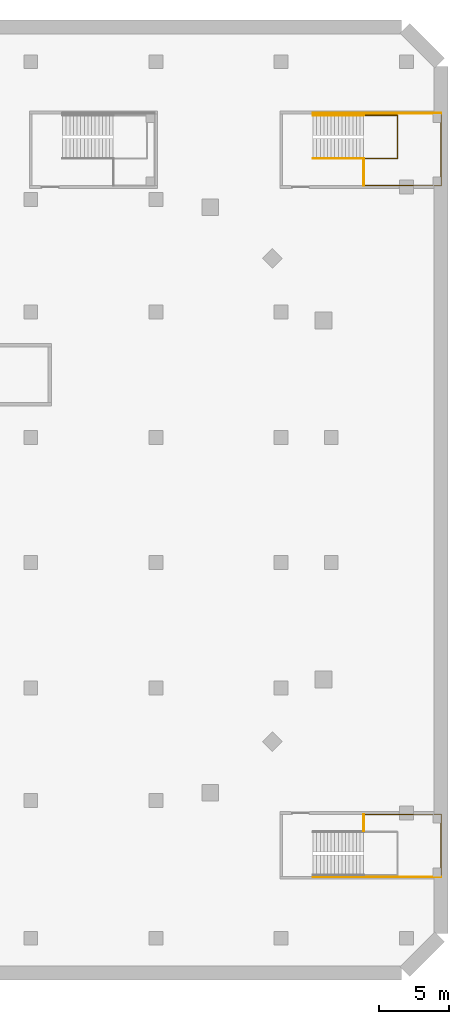
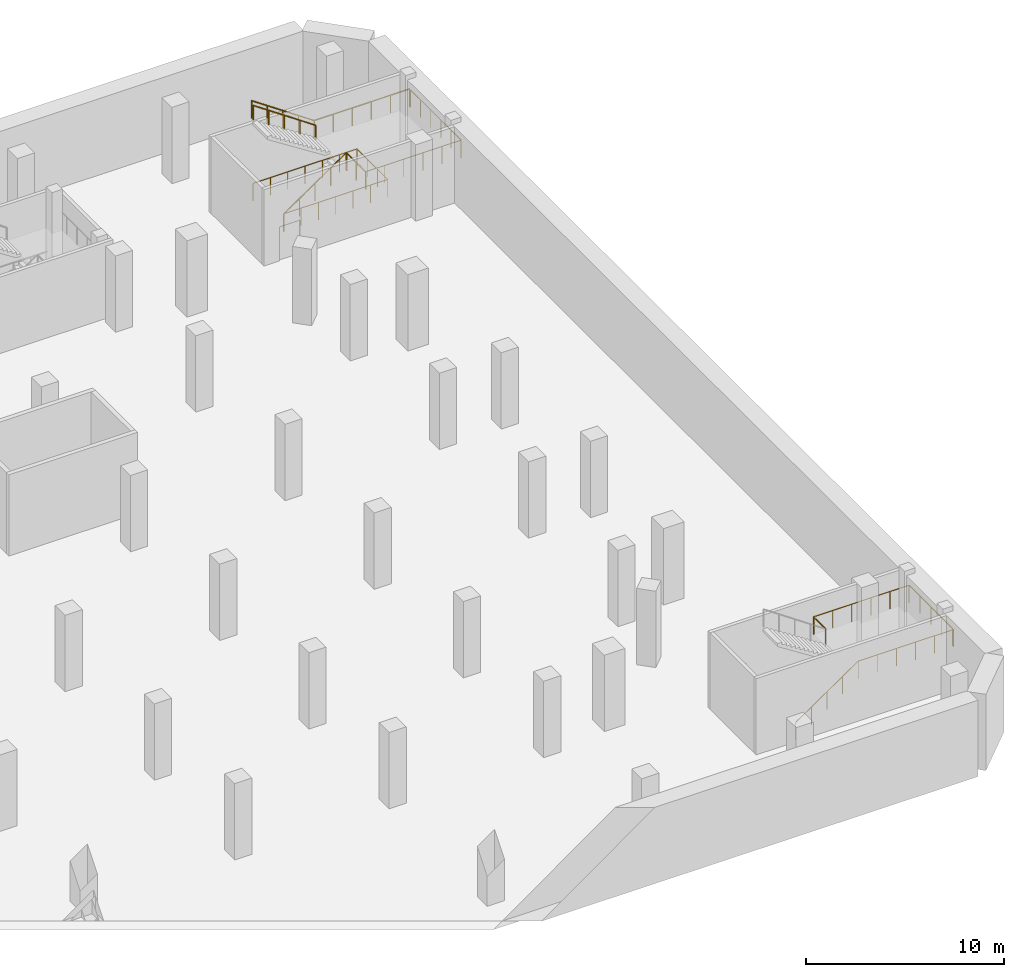
# One storey, part 18 of 19: 9 railings.
"""IFC4 building model written with IfcOpenShell, lengths in metres."""

from ifc_helpers import new_model, si_unit, direction, frame, origin, origin_2d, place, context, subcontext, project, spatial, circle, extrude, material, type_object, element, save


model = new_model("IFC4")

# Units and contexts
model_context = context("Model", 3, precision=1e-05, world=origin(), true_north=direction((0.0, 1.0)))
body_context = subcontext(model_context, "Body", "Model", "MODEL_VIEW")
ifc_project = project(units=[si_unit("LENGTHUNIT", "METRE"), si_unit("AREAUNIT", "SQUARE_METRE"), si_unit("VOLUMEUNIT", "CUBIC_METRE"), si_unit("PLANEANGLEUNIT", "RADIAN"), si_unit("MASSUNIT", "GRAM", prefix="KILO")], contexts=[model_context])

# Site, building, storey
site_placement = place(None, origin())
site = spatial("IfcSite", under=ifc_project, at=site_placement, CompositionType="ELEMENT")
building_placement = place(site_placement, origin())
building = spatial("IfcBuilding", under=site, at=building_placement, Name="Cinnabar Reach Civic Tower", CompositionType="ELEMENT")
storey_placement = place(building_placement, frame((0.0, 0.0, -5.0)))
storey = spatial("IfcBuildingStorey", under=building, at=storey_placement, Name="B1", CompositionType="ELEMENT", Elevation=-5.0)

# Railings
ifc_material_1 = material(Name="Stainless steel and glass", Category="steel")
railing_type_1 = type_object("IfcRailingType", Name="Podium guard 1100", PredefinedType="GUARDRAIL", material=ifc_material_1)
railing_1_placement = place(storey_placement, frame((59.94, -0.1, 2.5)))
element("IfcRailing", 1, at=railing_1_placement, inside=storey, type_object=railing_type_1, Name="Landing guard PS4 B1", PredefinedType="GUARDRAIL", context=body_context, shape_type="SweptSolid", body=[
    extrude(circle(Radius=0.024, at=origin_2d()), frame((0.0, 0.0, 1.076), z_axis=(1.0, 0.0, 0.0), x_axis=(0.0, 1.0, 0.0)), (0.0, 0.0, 1.0), 5.56),
    extrude(circle(Radius=0.024, at=origin_2d()), frame((5.56, 0.0, 1.076), z_axis=(0.0, -1.0, 0.0), x_axis=(1.0, 0.0, 0.0)), (0.0, 0.0, 1.0), 4.4),
    extrude(circle(Radius=0.021, at=origin_2d()), origin(), (0.0, 0.0, 1.0), 1.052),
    extrude(circle(Radius=0.021, at=origin_2d()), frame((1.112, 0.0, 0.0)), (0.0, 0.0, 1.0), 1.052),
    extrude(circle(Radius=0.021, at=origin_2d()), frame((2.224, 0.0, 0.0)), (0.0, 0.0, 1.0), 1.052),
    extrude(circle(Radius=0.021, at=origin_2d()), frame((3.336, 0.0, 0.0)), (0.0, 0.0, 1.0), 1.052),
    extrude(circle(Radius=0.021, at=origin_2d()), frame((4.448, 0.0, 0.0)), (0.0, 0.0, 1.0), 1.052),
    extrude(circle(Radius=0.021, at=origin_2d()), frame((5.56, 0.0, 0.0)), (0.0, 0.0, 1.0), 1.052),
    extrude(circle(Radius=0.021, at=origin_2d()), frame((5.56, -1.1, 0.0)), (0.0, 0.0, 1.0), 1.052),
    extrude(circle(Radius=0.021, at=origin_2d()), frame((5.56, -2.2, 0.0)), (0.0, 0.0, 1.0), 1.052),
    extrude(circle(Radius=0.021, at=origin_2d()), frame((5.56, -3.3, 0.0)), (0.0, 0.0, 1.0), 1.052),
    extrude(circle(Radius=0.021, at=origin_2d()), frame((5.56, -4.4, 0.0)), (0.0, 0.0, 1.0), 1.052),
])
railing_2_placement = place(storey_placement, frame((59.94, -1.3, 2.5)))
element("IfcRailing", 2, at=railing_2_placement, inside=storey, type_object=railing_type_1, Name="Landing guard PS4 B1 inner", PredefinedType="GUARDRAIL", context=body_context, shape_type="SweptSolid", body=[
    extrude(circle(Radius=0.024, at=origin_2d()), frame((0.0, 0.0, 1.076), z_axis=(0.0, 1.0, 0.0), x_axis=(-1.0, 0.0, 0.0)), (0.0, 0.0, 1.0), 1.2),
    extrude(circle(Radius=0.021, at=origin_2d()), origin(), (0.0, 0.0, 1.0), 1.052),
    extrude(circle(Radius=0.021, at=origin_2d()), frame((0.0, 1.2, 0.0)), (0.0, 0.0, 1.0), 1.052),
])
railing_3_placement = place(storey_placement, frame((56.3, -4.6, 0.0)))
element("IfcRailing", 3, at=railing_3_placement, inside=storey, type_object=railing_type_1, Name="Stair wall side guard PS4 B1", PredefinedType="GUARDRAIL", context=body_context, shape_type="SweptSolid", body=[
    extrude(circle(Radius=0.024, at=origin_2d()), frame((0.0, 0.0, 1.076), z_axis=(0.824306135323, 0.0, 0.566144323711), x_axis=(0.0, 1.0, 0.0)), (0.0, 0.0, 1.0), 4.4158),
    extrude(circle(Radius=0.024, at=origin_2d()), frame((3.64, 0.0, 3.576), z_axis=(1.0, 0.0, 0.0), x_axis=(0.0, 1.0, 0.0)), (0.0, 0.0, 1.0), 5.56),
    extrude(circle(Radius=0.021, at=origin_2d()), origin(), (0.0, 0.0, 1.0), 1.052),
    extrude(circle(Radius=0.021, at=origin_2d()), frame((0.91, 0.0, 0.625)), (0.0, 0.0, 1.0), 1.052),
    extrude(circle(Radius=0.021, at=origin_2d()), frame((1.82, 0.0, 1.25)), (0.0, 0.0, 1.0), 1.052),
    extrude(circle(Radius=0.021, at=origin_2d()), frame((2.73, 0.0, 1.875)), (0.0, 0.0, 1.0), 1.052),
    extrude(circle(Radius=0.021, at=origin_2d()), frame((3.64, 0.0, 2.5)), (0.0, 0.0, 1.0), 1.052),
    extrude(circle(Radius=0.021, at=origin_2d()), frame((4.752, 0.0, 2.5)), (0.0, 0.0, 1.0), 1.052),
    extrude(circle(Radius=0.021, at=origin_2d()), frame((5.864, 0.0, 2.5)), (0.0, 0.0, 1.0), 1.052),
    extrude(circle(Radius=0.021, at=origin_2d()), frame((6.976, 0.0, 2.5)), (0.0, 0.0, 1.0), 1.052),
    extrude(circle(Radius=0.021, at=origin_2d()), frame((8.088, 0.0, 2.5)), (0.0, 0.0, 1.0), 1.052),
    extrude(circle(Radius=0.021, at=origin_2d()), frame((9.2, 0.0, 2.5)), (0.0, 0.0, 1.0), 1.052),
])
railing_4_placement = place(storey_placement, frame((56.3, 47.05, 0.0)))
element("IfcRailing", 4, at=railing_4_placement, inside=storey, type_object=railing_type_1, Name="Stair guard PS5 B1", PredefinedType="GUARDRAIL", context=body_context, shape_type="SweptSolid", body=[
    extrude(circle(Radius=0.024, at=origin_2d()), frame((0.0, 0.0, 1.076), z_axis=(0.824306135323, 0.0, 0.566144323711), x_axis=(0.0, 1.0, 0.0)), (0.0, 0.0, 1.0), 4.4158),
    extrude(circle(Radius=0.021, at=origin_2d()), origin(), (0.0, 0.0, 1.0), 1.052),
    extrude(circle(Radius=0.021, at=origin_2d()), frame((0.91, 0.0, 0.625)), (0.0, 0.0, 1.0), 1.052),
    extrude(circle(Radius=0.021, at=origin_2d()), frame((1.82, 0.0, 1.25)), (0.0, 0.0, 1.0), 1.052),
    extrude(circle(Radius=0.021, at=origin_2d()), frame((2.73, 0.0, 1.875)), (0.0, 0.0, 1.0), 1.052),
    extrude(circle(Radius=0.021, at=origin_2d()), frame((3.64, 0.0, 2.5)), (0.0, 0.0, 1.0), 1.052),
])
railing_5_placement = place(storey_placement, frame((59.94, 45.1, 2.5)))
element("IfcRailing", 5, at=railing_5_placement, inside=storey, type_object=railing_type_1, Name="Landing guard PS5 B1", PredefinedType="GUARDRAIL", context=body_context, shape_type="SweptSolid", body=[
    extrude(circle(Radius=0.024, at=origin_2d()), frame((0.0, 0.0, 1.076), z_axis=(1.0, 0.0, 0.0), x_axis=(0.0, 1.0, 0.0)), (0.0, 0.0, 1.0), 5.56),
    extrude(circle(Radius=0.024, at=origin_2d()), frame((5.56, 0.0, 1.076), z_axis=(0.0, 1.0, 0.0), x_axis=(-1.0, 0.0, 0.0)), (0.0, 0.0, 1.0), 5.1),
    extrude(circle(Radius=0.021, at=origin_2d()), origin(), (0.0, 0.0, 1.0), 1.052),
    extrude(circle(Radius=0.021, at=origin_2d()), frame((1.112, 0.0, 0.0)), (0.0, 0.0, 1.0), 1.052),
    extrude(circle(Radius=0.021, at=origin_2d()), frame((2.224, 0.0, 0.0)), (0.0, 0.0, 1.0), 1.052),
    extrude(circle(Radius=0.021, at=origin_2d()), frame((3.336, 0.0, 0.0)), (0.0, 0.0, 1.0), 1.052),
    extrude(circle(Radius=0.021, at=origin_2d()), frame((4.448, 0.0, 0.0)), (0.0, 0.0, 1.0), 1.052),
    extrude(circle(Radius=0.021, at=origin_2d()), frame((5.56, 0.0, 0.0)), (0.0, 0.0, 1.0), 1.052),
    extrude(circle(Radius=0.021, at=origin_2d()), frame((5.56, 1.02, 0.0)), (0.0, 0.0, 1.0), 1.052),
    extrude(circle(Radius=0.021, at=origin_2d()), frame((5.56, 2.04, 0.0)), (0.0, 0.0, 1.0), 1.052),
    extrude(circle(Radius=0.021, at=origin_2d()), frame((5.56, 3.06, 0.0)), (0.0, 0.0, 1.0), 1.052),
    extrude(circle(Radius=0.021, at=origin_2d()), frame((5.56, 4.08, 0.0)), (0.0, 0.0, 1.0), 1.052),
    extrude(circle(Radius=0.021, at=origin_2d()), frame((5.56, 5.1, 0.0)), (0.0, 0.0, 1.0), 1.052),
])
railing_6_placement = place(storey_placement, frame((59.94, 45.1, 2.5)))
element("IfcRailing", 6, at=railing_6_placement, inside=storey, type_object=railing_type_1, Name="Landing guard PS5 B1 inner", PredefinedType="GUARDRAIL", context=body_context, shape_type="SweptSolid", body=[
    extrude(circle(Radius=0.024, at=origin_2d()), frame((0.0, 0.0, 1.076), z_axis=(0.0, 1.0, 0.0), x_axis=(-1.0, 0.0, 0.0)), (0.0, 0.0, 1.0), 1.9),
    extrude(circle(Radius=0.021, at=origin_2d()), origin(), (0.0, 0.0, 1.0), 1.052),
    extrude(circle(Radius=0.021, at=origin_2d()), frame((0.0, 0.95, 0.0)), (0.0, 0.0, 1.0), 1.052),
    extrude(circle(Radius=0.021, at=origin_2d()), frame((0.0, 1.9, 0.0)), (0.0, 0.0, 1.0), 1.052),
])
railing_7_placement = place(storey_placement, frame((65.5, 50.3, 2.5)))
element("IfcRailing", 7, at=railing_7_placement, inside=storey, type_object=railing_type_1, Name="Stair wall side guard PS5 B1", PredefinedType="GUARDRAIL", context=body_context, shape_type="SweptSolid", body=[
    extrude(circle(Radius=0.024, at=origin_2d()), frame((0.0, 0.0, 1.076), z_axis=(-1.0, 0.0, 0.0), x_axis=(0.0, -1.0, 0.0)), (0.0, 0.0, 1.0), 5.56),
    extrude(circle(Radius=0.024, at=origin_2d()), frame((-5.56, 0.0, 1.076), z_axis=(-0.824306135323, 0.0, 0.566144323711), x_axis=(0.0, -1.0, 0.0)), (0.0, 0.0, 1.0), 4.4158),
    extrude(circle(Radius=0.021, at=origin_2d()), origin(), (0.0, 0.0, 1.0), 1.052),
    extrude(circle(Radius=0.021, at=origin_2d()), frame((-1.112, 0.0, 0.0)), (0.0, 0.0, 1.0), 1.052),
    extrude(circle(Radius=0.021, at=origin_2d()), frame((-2.224, 0.0, 0.0)), (0.0, 0.0, 1.0), 1.052),
    extrude(circle(Radius=0.021, at=origin_2d()), frame((-3.336, 0.0, 0.0)), (0.0, 0.0, 1.0), 1.052),
    extrude(circle(Radius=0.021, at=origin_2d()), frame((-4.448, 0.0, 0.0)), (0.0, 0.0, 1.0), 1.052),
    extrude(circle(Radius=0.021, at=origin_2d()), frame((-5.56, 0.0, 0.0)), (0.0, 0.0, 1.0), 1.052),
    extrude(circle(Radius=0.021, at=origin_2d()), frame((-6.47, 0.0, 0.625)), (0.0, 0.0, 1.0), 1.052),
    extrude(circle(Radius=0.021, at=origin_2d()), frame((-7.38, 0.0, 1.25)), (0.0, 0.0, 1.0), 1.052),
    extrude(circle(Radius=0.021, at=origin_2d()), frame((-8.29, 0.0, 1.875)), (0.0, 0.0, 1.0), 1.052),
    extrude(circle(Radius=0.021, at=origin_2d()), frame((-9.2, 0.0, 2.5)), (0.0, 0.0, 1.0), 1.052),
])
railing_8_placement = place(storey_placement, frame((56.3, 47.05, 0.0)))
element("IfcRailing", 8, at=railing_8_placement, inside=storey, type_object=railing_type_1, Name="Stair well guard PS5 B1", PredefinedType="GUARDRAIL", context=body_context, shape_type="SweptSolid", body=[
    extrude(circle(Radius=0.024, at=origin_2d()), frame((0.0, 0.0, 1.076), z_axis=(1.0, 0.0, 0.0), x_axis=(0.0, 1.0, 0.0)), (0.0, 0.0, 1.0), 6.05),
    extrude(circle(Radius=0.024, at=origin_2d()), frame((6.05, 0.0, 1.076), z_axis=(0.0, 1.0, 0.0), x_axis=(-1.0, 0.0, 0.0)), (0.0, 0.0, 1.0), 3.1),
    extrude(circle(Radius=0.024, at=origin_2d()), frame((6.05, 3.1, 1.076), z_axis=(-1.0, 0.0, 0.0), x_axis=(0.0, -1.0, 0.0)), (0.0, 0.0, 1.0), 6.05),
    extrude(circle(Radius=0.021, at=origin_2d()), origin(), (0.0, 0.0, 1.0), 1.052),
    extrude(circle(Radius=0.021, at=origin_2d()), frame((1.0083, 0.0, 0.0)), (0.0, 0.0, 1.0), 1.052),
    extrude(circle(Radius=0.021, at=origin_2d()), frame((2.0167, 0.0, 0.0)), (0.0, 0.0, 1.0), 1.052),
    extrude(circle(Radius=0.021, at=origin_2d()), frame((3.025, 0.0, 0.0)), (0.0, 0.0, 1.0), 1.052),
    extrude(circle(Radius=0.021, at=origin_2d()), frame((4.0333, 0.0, 0.0)), (0.0, 0.0, 1.0), 1.052),
    extrude(circle(Radius=0.021, at=origin_2d()), frame((5.0417, 0.0, 0.0)), (0.0, 0.0, 1.0), 1.052),
    extrude(circle(Radius=0.021, at=origin_2d()), frame((6.05, 0.0, 0.0)), (0.0, 0.0, 1.0), 1.052),
    extrude(circle(Radius=0.021, at=origin_2d()), frame((6.05, 1.0333, 0.0)), (0.0, 0.0, 1.0), 1.052),
    extrude(circle(Radius=0.021, at=origin_2d()), frame((6.05, 2.0667, 0.0)), (0.0, 0.0, 1.0), 1.052),
    extrude(circle(Radius=0.021, at=origin_2d()), frame((6.05, 3.1, 0.0)), (0.0, 0.0, 1.0), 1.052),
    extrude(circle(Radius=0.021, at=origin_2d()), frame((5.0417, 3.1, 0.0)), (0.0, 0.0, 1.0), 1.052),
    extrude(circle(Radius=0.021, at=origin_2d()), frame((4.0333, 3.1, 0.0)), (0.0, 0.0, 1.0), 1.052),
    extrude(circle(Radius=0.021, at=origin_2d()), frame((3.025, 3.1, 0.0)), (0.0, 0.0, 1.0), 1.052),
    extrude(circle(Radius=0.021, at=origin_2d()), frame((2.0167, 3.1, 0.0)), (0.0, 0.0, 1.0), 1.052),
    extrude(circle(Radius=0.021, at=origin_2d()), frame((1.0083, 3.1, 0.0)), (0.0, 0.0, 1.0), 1.052),
    extrude(circle(Radius=0.021, at=origin_2d()), frame((0.0, 3.1, 0.0)), (0.0, 0.0, 1.0), 1.052),
])
ifc_material_2 = material(Name="Stainless steel", Category="steel")
railing_type_2 = type_object("IfcRailingType", Name="Podium stair handrail 900", PredefinedType="HANDRAIL", material=ifc_material_2)
railing_9_placement = place(storey_placement, frame((59.94, 50.15, 2.5)))
element("IfcRailing", 9, at=railing_9_placement, inside=storey, type_object=railing_type_2, Name="Stair handrail PS5 B1", PredefinedType="HANDRAIL", context=body_context, shape_type="SweptSolid", body=[
    extrude(circle(Radius=0.024, at=origin_2d()), frame((0.0, 0.0, 0.876), z_axis=(-0.824306135323, 0.0, 0.566144323711), x_axis=(0.0, -1.0, 0.0)), (0.0, 0.0, 1.0), 4.4158),
    extrude(circle(Radius=0.021, at=origin_2d()), origin(), (0.0, 0.0, 1.0), 0.852),
    extrude(circle(Radius=0.021, at=origin_2d()), frame((-0.91, 0.0, 0.625)), (0.0, 0.0, 1.0), 0.852),
    extrude(circle(Radius=0.021, at=origin_2d()), frame((-1.82, 0.0, 1.25)), (0.0, 0.0, 1.0), 0.852),
    extrude(circle(Radius=0.021, at=origin_2d()), frame((-2.73, 0.0, 1.875)), (0.0, 0.0, 1.0), 0.852),
    extrude(circle(Radius=0.021, at=origin_2d()), frame((-3.64, 0.0, 2.5)), (0.0, 0.0, 1.0), 0.852),
])

save(model, "model.ifc")
